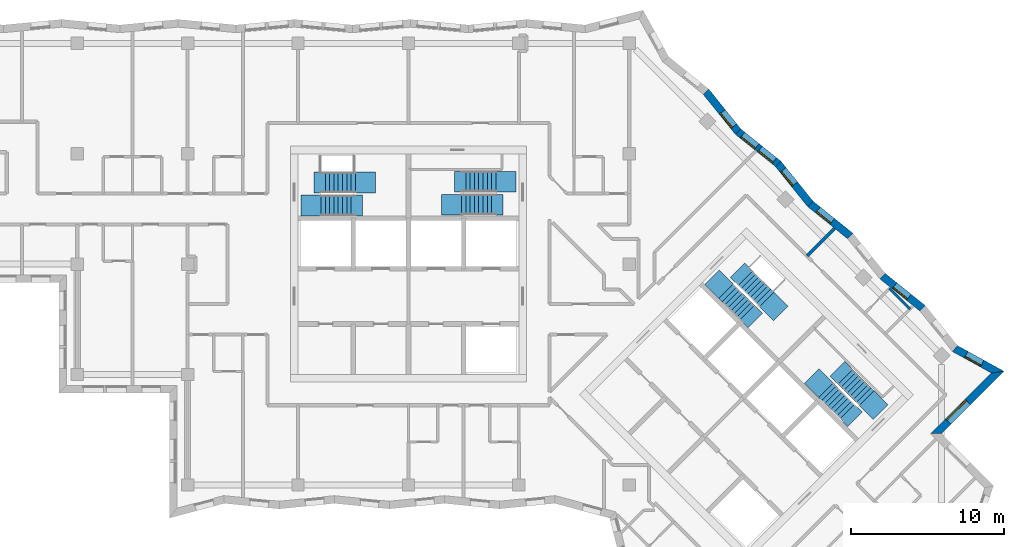
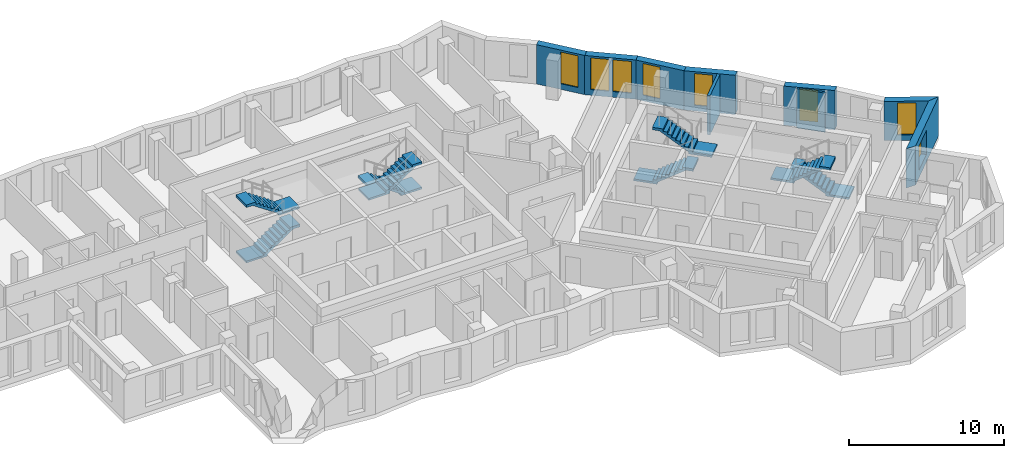
# One storey, part 9 of 11: 9 walls, 8 stair flights, 8 windows, 8 openings, 4 elements without a shape of their own.
"""IFC4 building model written with IfcOpenShell, lengths in metres."""

from ifc_helpers import new_model, si_unit, direction, frame, frame_2d, origin, place, context, subcontext, project, spatial, polyline, rectangle, outline, extrude, material, layer, layer_set, type_object, element, fill, aggregate, save


model = new_model("IFC4")

# Units and contexts
model_context = context("Model", 3, precision=1e-05, world=origin(), true_north=direction((0.0, 1.0)))
body_context = subcontext(model_context, "Body", "Model", "MODEL_VIEW")
ifc_project = project(units=[si_unit("LENGTHUNIT", "METRE"), si_unit("AREAUNIT", "SQUARE_METRE"), si_unit("VOLUMEUNIT", "CUBIC_METRE"), si_unit("PLANEANGLEUNIT", "RADIAN"), si_unit("MASSUNIT", "GRAM", prefix="KILO")], contexts=[model_context])

# Site, building, storey
site_placement = place(None, origin())
site = spatial("IfcSite", under=ifc_project, at=site_placement, CompositionType="ELEMENT")
building_placement = place(site_placement, origin())
building = spatial("IfcBuilding", under=site, at=building_placement, Name="Windrow Commons", CompositionType="ELEMENT")
storey_placement = place(building_placement, frame((0.0, 0.0, 196.4)))
storey = spatial("IfcBuildingStorey", under=building, at=storey_placement, Name="L53", CompositionType="ELEMENT", Elevation=196.4)

# Wall, opening, window
ifc_material_1 = material(Name="Brick masonry, red clay brick", Category="masonry")
ifc_layer_1 = layer(ifc_material_1, 0.5)
ifc_layer_set_1 = layer_set([ifc_layer_1], Name="Brick facade wall 500")
wall_type_1 = type_object("IfcWallType", Name="Brick facade wall 500", PredefinedType="SOLIDWALL", material=ifc_layer_set_1)
wall_1_placement = place(storey_placement, frame((99.2111, 46.5442, 0.0), z_axis=(0.0, 0.0, 1.0), x_axis=(0.7071067812, 0.7071067812, 0.0)))
wall_1 = element("IfcWall", 1, at=wall_1_placement, inside=storey, type_object=wall_type_1, Name="Brick facade wall L53 6", PredefinedType="SOLIDWALL", context=body_context, shape_type="SweptSolid", body=[
    extrude(outline(polyline([(0.25, -0.25), (6.011, -0.25), (5.3463, 0.25), (-0.25, 0.25), (0.25, -0.25)])), origin(), (0.0, 0.0, 1.0), 3.1),
])
opening_1_placement = place(wall_1_placement, frame((1.125, 0.0, 0.6)))
opening_1 = element("IfcOpeningElement", 2, at=opening_1_placement, cuts=wall_1, Name="Opening W1L", PredefinedType="OPENING", context=body_context, shape_type="SweptSolid", body=[
    extrude(rectangle(XDim=1.8, YDim=1.9, at=frame_2d((0.9, 0.95))), frame((0.0, 0.26, 0.0), z_axis=(0.0, -1.0, 0.0), x_axis=(1.0, 0.0, 0.0)), (0.0, 0.0, 1.0), 0.52),
])
ifc_material_2 = material(Name="Clear float glass in anodised aluminium frame", Category="aluminium")
window_type_1 = type_object("IfcWindowType", Name="Window W1L bedroom 1800x1900", PartitioningType="SINGLE_PANEL", PredefinedType="WINDOW", material=ifc_material_2)
window_1_placement = place(opening_1_placement, origin())
window_1 = element("IfcWindow", 3, at=window_1_placement, inside=storey, type_object=window_type_1, Name="Window L53 6.1", OverallHeight=1.9, OverallWidth=1.8, PartitioningType="SINGLE_PANEL", PredefinedType="WINDOW", context=body_context, shape_type="SweptSolid", body=[
    extrude(rectangle(XDim=1.8, YDim=1.9, at=frame_2d((0.9, 0.95))), frame((0.0, 0.18, 0.0), z_axis=(0.0, -1.0, 0.0), x_axis=(1.0, 0.0, 0.0)), (0.0, 0.0, 1.0), 0.06),
])
fill(opening_1, window_1)

wall_2_placement = place(storey_placement, frame((103.2265, 50.5596, 0.0), z_axis=(0.0, 0.0, 1.0), x_axis=(-0.8754584945, 0.483293311, 0.0)))
wall_2 = element("IfcWall", 4, at=wall_2_placement, inside=storey, type_object=wall_type_1, Name="Brick facade wall L53 7", PredefinedType="SOLIDWALL", context=body_context, shape_type="SweptSolid", body=[
    extrude(outline(polyline([(-0.3324, -0.25), (3.1331, -0.25), (3.2316, 0.25), (0.3324, 0.25), (-0.3324, -0.25)])), origin(), (0.0, 0.0, 1.0), 3.1),
])
opening_2_placement = place(wall_2_placement, frame((1.1573, 0.0, 0.45)))
opening_2 = element("IfcOpeningElement", 5, at=opening_2_placement, cuts=wall_2, Name="Opening W7E", PredefinedType="OPENING", context=body_context, shape_type="SweptSolid", body=[
    extrude(rectangle(XDim=1.2, YDim=2.5, at=frame_2d((0.6, 1.25))), frame((0.0, 0.26, 0.0), z_axis=(0.0, -1.0, 0.0), x_axis=(1.0, 0.0, 0.0)), (0.0, 0.0, 1.0), 0.52),
])
ifc_material_3 = material(Name="Clear float glass in anodised aluminium frame", Category="aluminium")
window_type_2 = type_object("IfcWindowType", Name="Window W7 notch 1200x2500", PartitioningType="SINGLE_PANEL", PredefinedType="WINDOW", material=ifc_material_3)
window_2_placement = place(opening_2_placement, origin())
window_2 = element("IfcWindow", 6, at=window_2_placement, inside=storey, type_object=window_type_2, Name="Window L53 7.1", OverallHeight=2.5, OverallWidth=1.2, PartitioningType="SINGLE_PANEL", PredefinedType="WINDOW", context=body_context, shape_type="SweptSolid", body=[
    extrude(rectangle(XDim=1.2, YDim=2.5, at=frame_2d((0.6, 1.25))), frame((0.0, 0.18, 0.0), z_axis=(0.0, -1.0, 0.0), x_axis=(1.0, 0.0, 0.0)), (0.0, 0.0, 1.0), 0.06),
])
fill(opening_2, window_2)

wall_3_placement = place(storey_placement, frame((98.3276, 54.7244, 0.0), z_axis=(0.0, 0.0, 1.0), x_axis=(-0.7792172545, 0.6267539152, 0.0)))
wall_3 = element("IfcWall", 7, at=wall_3_placement, inside=storey, type_object=wall_type_1, Name="Brick facade wall L53 9", PredefinedType="SOLIDWALL", context=body_context, shape_type="SweptSolid", body=[
    extrude(outline(polyline([(-0.0271, -0.25), (3.3219, -0.25), (3.3761, 0.25), (0.0271, 0.25), (-0.0271, -0.25)])), origin(), (0.0, 0.0, 1.0), 3.1),
])
opening_3_placement = place(wall_3_placement, frame((1.1466, 0.0, 0.45)))
opening_3 = element("IfcOpeningElement", 8, at=opening_3_placement, cuts=wall_3, Name="Opening W7E", PredefinedType="OPENING", context=body_context, shape_type="SweptSolid", body=[
    extrude(rectangle(XDim=1.2, YDim=2.5, at=frame_2d((0.6, 1.25))), frame((0.0, 0.26, 0.0), z_axis=(0.0, -1.0, 0.0), x_axis=(1.0, 0.0, 0.0)), (0.0, 0.0, 1.0), 0.52),
])
window_3_placement = place(opening_3_placement, origin())
window_3 = element("IfcWindow", 9, at=window_3_placement, inside=storey, type_object=window_type_2, Name="Window L53 9.1", OverallHeight=2.5, OverallWidth=1.2, PartitioningType="SINGLE_PANEL", PredefinedType="WINDOW", context=body_context, shape_type="SweptSolid", body=[
    extrude(rectangle(XDim=1.2, YDim=2.5, at=frame_2d((0.6, 1.25))), frame((0.0, 0.18, 0.0), z_axis=(0.0, -1.0, 0.0), x_axis=(1.0, 0.0, 0.0)), (0.0, 0.0, 1.0), 0.06),
])
fill(opening_3, window_3)

wall_4_placement = place(storey_placement, frame((93.619, 59.433, 0.0), z_axis=(0.0, 0.0, 1.0), x_axis=(-0.7792026718, 0.6267720449, 0.0)))
wall_4 = element("IfcWall", 10, at=wall_4_placement, inside=storey, type_object=wall_type_1, Name="Brick facade wall L53 11", PredefinedType="SOLIDWALL", context=body_context, shape_type="SweptSolid", body=[
    extrude(outline(polyline([(-0.0271, -0.25), (3.3219, -0.25), (3.3761, 0.25), (0.0271, 0.25), (-0.0271, -0.25)])), origin(), (0.0, 0.0, 1.0), 3.1),
])
opening_4_placement = place(wall_4_placement, frame((1.5187, 0.0, 0.45)))
opening_4 = element("IfcOpeningElement", 11, at=opening_4_placement, cuts=wall_4, Name="Opening W7E", PredefinedType="OPENING", context=body_context, shape_type="SweptSolid", body=[
    extrude(rectangle(XDim=1.2, YDim=2.5, at=frame_2d((0.6, 1.25))), frame((0.0, 0.26, 0.0), z_axis=(0.0, -1.0, 0.0), x_axis=(1.0, 0.0, 0.0)), (0.0, 0.0, 1.0), 0.52),
])
window_4_placement = place(opening_4_placement, origin())
window_4 = element("IfcWindow", 12, at=window_4_placement, inside=storey, type_object=window_type_2, Name="Window L53 11.1", OverallHeight=2.5, OverallWidth=1.2, PartitioningType="SINGLE_PANEL", PredefinedType="WINDOW", context=body_context, shape_type="SweptSolid", body=[
    extrude(rectangle(XDim=1.2, YDim=2.5, at=frame_2d((0.6, 1.25))), frame((0.0, 0.18, 0.0), z_axis=(0.0, -1.0, 0.0), x_axis=(1.0, 0.0, 0.0)), (0.0, 0.0, 1.0), 0.06),
])
fill(opening_4, window_4)

wall_5_placement = place(storey_placement, frame((91.0094, 61.5321, 0.0), z_axis=(0.0, 0.0, 1.0), x_axis=(-0.6267539152, 0.7792172545, 0.0)))
wall_5 = element("IfcWall", 13, at=wall_5_placement, inside=storey, type_object=wall_type_1, Name="Brick facade wall L53 12", PredefinedType="SOLIDWALL", context=body_context, shape_type="SweptSolid", body=[
    extrude(outline(polyline([(0.0271, -0.25), (3.3761, -0.25), (3.3219, 0.25), (-0.0271, 0.25), (0.0271, -0.25)])), origin(), (0.0, 0.0, 1.0), 3.1),
])
opening_5_placement = place(wall_5_placement, frame((1.6411, 0.0, 0.45)))
opening_5 = element("IfcOpeningElement", 14, at=opening_5_placement, cuts=wall_5, Name="Opening W7E", PredefinedType="OPENING", context=body_context, shape_type="SweptSolid", body=[
    extrude(rectangle(XDim=1.2, YDim=2.5, at=frame_2d((0.6, 1.25))), frame((0.0, 0.26, 0.0), z_axis=(0.0, -1.0, 0.0), x_axis=(1.0, 0.0, 0.0)), (0.0, 0.0, 1.0), 0.52),
])
window_5_placement = place(opening_5_placement, origin())
window_5 = element("IfcWindow", 15, at=window_5_placement, inside=storey, type_object=window_type_2, Name="Window L53 12.1", OverallHeight=2.5, OverallWidth=1.2, PartitioningType="SINGLE_PANEL", PredefinedType="WINDOW", context=body_context, shape_type="SweptSolid", body=[
    extrude(rectangle(XDim=1.2, YDim=2.5, at=frame_2d((0.6, 1.25))), frame((0.0, 0.18, 0.0), z_axis=(0.0, -1.0, 0.0), x_axis=(1.0, 0.0, 0.0)), (0.0, 0.0, 1.0), 0.06),
])
fill(opening_5, window_5)

# Wall, openings, windows
wall_6_placement = place(storey_placement, frame((88.9104, 64.1417, 0.0), z_axis=(0.0, 0.0, 1.0), x_axis=(-0.7792172545, 0.6267539152, 0.0)))
wall_6 = element("IfcWall", 16, at=wall_6_placement, inside=storey, type_object=wall_type_1, Name="Brick facade wall L53 13", PredefinedType="SOLIDWALL", context=body_context, shape_type="SweptSolid", body=[
    extrude(outline(polyline([(-0.0271, -0.25), (3.3219, -0.25), (3.3761, 0.25), (0.0271, 0.25), (-0.0271, -0.25)])), origin(), (0.0, 0.0, 1.0), 3.1),
])
opening_6_placement = place(wall_6_placement, frame((0.3298, 0.0, 0.45)))
opening_6 = element("IfcOpeningElement", 17, at=opening_6_placement, cuts=wall_6, Name="Opening W7E", PredefinedType="OPENING", context=body_context, shape_type="SweptSolid", body=[
    extrude(rectangle(XDim=1.2, YDim=2.5, at=frame_2d((0.6, 1.25))), frame((0.0, 0.26, 0.0), z_axis=(0.0, -1.0, 0.0), x_axis=(1.0, 0.0, 0.0)), (0.0, 0.0, 1.0), 0.52),
])
opening_7_placement = place(wall_6_placement, frame((1.7907, 0.0, 0.45)))
opening_7 = element("IfcOpeningElement", 18, at=opening_7_placement, cuts=wall_6, Name="Opening W7E", PredefinedType="OPENING", context=body_context, shape_type="SweptSolid", body=[
    extrude(rectangle(XDim=1.2, YDim=2.5, at=frame_2d((0.6, 1.25))), frame((0.0, 0.26, 0.0), z_axis=(0.0, -1.0, 0.0), x_axis=(1.0, 0.0, 0.0)), (0.0, 0.0, 1.0), 0.52),
])
window_6_placement = place(opening_6_placement, origin())
window_6 = element("IfcWindow", 19, at=window_6_placement, inside=storey, type_object=window_type_2, Name="Window L53 13.1", OverallHeight=2.5, OverallWidth=1.2, PartitioningType="SINGLE_PANEL", PredefinedType="WINDOW", context=body_context, shape_type="SweptSolid", body=[
    extrude(rectangle(XDim=1.2, YDim=2.5, at=frame_2d((0.6, 1.25))), frame((0.0, 0.18, 0.0), z_axis=(0.0, -1.0, 0.0), x_axis=(1.0, 0.0, 0.0)), (0.0, 0.0, 1.0), 0.06),
])
fill(opening_6, window_6)
window_7_placement = place(opening_7_placement, origin())
window_7 = element("IfcWindow", 20, at=window_7_placement, inside=storey, type_object=window_type_2, Name="Window L53 13.2", OverallHeight=2.5, OverallWidth=1.2, PartitioningType="SINGLE_PANEL", PredefinedType="WINDOW", context=body_context, shape_type="SweptSolid", body=[
    extrude(rectangle(XDim=1.2, YDim=2.5, at=frame_2d((0.6, 1.25))), frame((0.0, 0.18, 0.0), z_axis=(0.0, -1.0, 0.0), x_axis=(1.0, 0.0, 0.0)), (0.0, 0.0, 1.0), 0.06),
])
fill(opening_7, window_7)

# Wall, opening, window
wall_7_placement = place(storey_placement, frame((86.3008, 66.2407, 0.0), z_axis=(0.0, 0.0, 1.0), x_axis=(-0.6267720449, 0.7792026718, 0.0)))
wall_7 = element("IfcWall", 21, at=wall_7_placement, inside=storey, type_object=wall_type_1, Name="Brick facade wall L53 14", PredefinedType="SOLIDWALL", context=body_context, shape_type="SweptSolid", body=[
    extrude(outline(polyline([(0.0271, -0.25), (3.3761, -0.25), (3.3219, 0.25), (-0.0271, 0.25), (0.0271, -0.25)])), origin(), (0.0, 0.0, 1.0), 3.1),
])
opening_8_placement = place(wall_7_placement, frame((0.4523, 0.0, 0.45)))
opening_8 = element("IfcOpeningElement", 22, at=opening_8_placement, cuts=wall_7, Name="Opening W7E", PredefinedType="OPENING", context=body_context, shape_type="SweptSolid", body=[
    extrude(rectangle(XDim=1.2, YDim=2.5, at=frame_2d((0.6, 1.25))), frame((0.0, 0.26, 0.0), z_axis=(0.0, -1.0, 0.0), x_axis=(1.0, 0.0, 0.0)), (0.0, 0.0, 1.0), 0.52),
])
window_8_placement = place(opening_8_placement, origin())
window_8 = element("IfcWindow", 23, at=window_8_placement, inside=storey, type_object=window_type_2, Name="Window L53 14.1", OverallHeight=2.5, OverallWidth=1.2, PartitioningType="SINGLE_PANEL", PredefinedType="WINDOW", context=body_context, shape_type="SweptSolid", body=[
    extrude(rectangle(XDim=1.2, YDim=2.5, at=frame_2d((0.6, 1.25))), frame((0.0, 0.18, 0.0), z_axis=(0.0, -1.0, 0.0), x_axis=(1.0, 0.0, 0.0)), (0.0, 0.0, 1.0), 0.06),
])
fill(opening_8, window_8)

# Walls
ifc_material_4 = material(Name="Blockwork partition", Category="masonry")
ifc_layer_2 = layer(ifc_material_4, 0.15)
ifc_layer_set_2 = layer_set([ifc_layer_2], Name="IW-ENSUITE-150")
wall_type_2 = type_object("IfcWallType", Name="IW-ENSUITE-150", PredefinedType="PARTITIONING", material=ifc_layer_set_2)
wall_8_placement = place(storey_placement, frame((96.1668, 56.0168, 0.0), z_axis=(0.0, 0.0, 1.0), x_axis=(0.7071067812, -0.7071067812, 0.0)))
element("IfcWall", 24, at=wall_8_placement, inside=storey, type_object=wall_type_2, Name="W-L53-W102", PredefinedType="PARTITIONING", context=body_context, shape_type="SweptSolid", body=[
    extrude(rectangle(XDim=1.9007, YDim=0.15, at=frame_2d((0.9504, 0.0))), origin(), (0.0, 0.0, 1.0), 3.1),
])
ifc_material_5 = material(Name="Blockwork partition", Category="masonry")
ifc_layer_3 = layer(ifc_material_5, 0.2)
ifc_layer_set_3 = layer_set([ifc_layer_3], Name="IW-PARTY-200")
wall_type_3 = type_object("IfcWallType", Name="IW-PARTY-200", PredefinedType="PARTITIONING", material=ifc_layer_set_3)
wall_9_placement = place(storey_placement, frame((90.7972, 58.1388, 0.0), z_axis=(0.0, 0.0, 1.0), x_axis=(0.7066541826, 0.7075590903, 0.0)))
element("IfcWall", 25, at=wall_9_placement, inside=storey, type_object=wall_type_3, Name="W-L53-W060", PredefinedType="PARTITIONING", context=body_context, shape_type="SweptSolid", body=[
    extrude(rectangle(XDim=2.5417, YDim=0.2, at=frame_2d((1.2709, 0.0))), origin(), (0.0, 0.0, 1.0), 3.1),
])

# Stair, stair flights
ifc_material_6 = material(Name="Concrete C40/50", Category="concrete")
stair_type = type_object("IfcStairType", Name="Core stair", PredefinedType="HALF_TURN_STAIR", material=ifc_material_6)
placement = place(storey_placement, origin())
stair_1 = element("IfcStair", 26, at=placement, inside=storey, type_object=stair_type, Name="L53 Exit stair A1 core A", PredefinedType="HALF_TURN_STAIR")
ifc_material_7 = material(Name="Concrete C40/50", Category="concrete")
stair_flight_type = type_object("IfcStairFlightType", Name="Core stair flight", PredefinedType="STRAIGHT", material=ifc_material_7)
stair_flight_1_placement = place(storey_placement, frame((59.1, 61.425, 0.0), z_axis=(0.0, 0.0, 1.0), x_axis=(1.0, 0.0, 0.0)))
stair_flight_1 = element("IfcStairFlight", 27, at=stair_flight_1_placement, type_object=stair_flight_type, Name="ST-A1 flight 1", NumberOfRisers=9, NumberOfTreads=8, PredefinedType="STRAIGHT", RiserHeight=0.188888889, TreadLength=0.28, context=body_context, shape_type="SweptSolid", body=[
    extrude(outline(polyline([(-1.3, -0.15), (-1.3, 0.0), (0.0, 0.0), (0.0, 0.1889), (0.28, 0.1889), (0.28, 0.3778), (0.56, 0.3778), (0.56, 0.5667), (0.84, 0.5667), (0.84, 0.7556), (1.12, 0.7556), (1.12, 0.9444), (1.4, 0.9444), (1.4, 1.1333), (1.68, 1.1333), (1.68, 1.3222), (1.96, 1.3222), (1.96, 1.5111), (2.24, 1.5111), (2.69, 1.5111), (2.69, 1.3111), (2.24, 1.3111), (2.24, 1.3302), (0.2682, 0.0), (0.2682, -0.15), (-1.3, -0.15)])), frame((0.0, 0.675, 0.0), z_axis=(0.0, -1.0, 0.0), x_axis=(1.0, 0.0, 0.0)), (0.0, 0.0, 1.0), 1.35),
])
stair_flight_2_placement = place(storey_placement, frame((61.34, 62.925, 1.7), z_axis=(0.0, 0.0, 1.0), x_axis=(-1.0, 0.0, 0.0)))
stair_flight_2 = element("IfcStairFlight", 28, at=stair_flight_2_placement, type_object=stair_flight_type, Name="ST-A1 flight 2", NumberOfRisers=9, NumberOfTreads=8, PredefinedType="STRAIGHT", RiserHeight=0.188888889, TreadLength=0.28, context=body_context, shape_type="SweptSolid", body=[
    extrude(outline(polyline([(-1.3, -0.15), (-1.3, 0.0), (0.0, 0.0), (0.0, 0.1889), (0.28, 0.1889), (0.28, 0.3778), (0.56, 0.3778), (0.56, 0.5667), (0.84, 0.5667), (0.84, 0.7556), (1.12, 0.7556), (1.12, 0.9444), (1.4, 0.9444), (1.4, 1.1333), (1.68, 1.1333), (1.68, 1.3222), (1.96, 1.3222), (1.96, 1.5111), (2.24, 1.5111), (2.69, 1.5111), (2.69, 1.3111), (2.24, 1.3111), (2.24, 1.3302), (0.2682, 0.0), (0.2682, -0.15), (-1.3, -0.15)])), frame((0.0, 0.675, 0.0), z_axis=(0.0, -1.0, 0.0), x_axis=(1.0, 0.0, 0.0)), (0.0, 0.0, 1.0), 1.35),
])
aggregate(stair_1, [stair_flight_1, stair_flight_2])

stair_2 = element("IfcStair", 29, at=placement, inside=storey, type_object=stair_type, Name="L53 Exit stair A2 core A", PredefinedType="HALF_TURN_STAIR")
stair_flight_3_placement = place(storey_placement, frame((70.5, 62.98, 0.0), z_axis=(0.0, 0.0, 1.0), x_axis=(-1.0, 0.0, 0.0)))
stair_flight_3 = element("IfcStairFlight", 30, at=stair_flight_3_placement, type_object=stair_flight_type, Name="ST-A2 flight 1", NumberOfRisers=9, NumberOfTreads=8, PredefinedType="STRAIGHT", RiserHeight=0.188888889, TreadLength=0.28, context=body_context, shape_type="SweptSolid", body=[
    extrude(outline(polyline([(-1.3, -0.15), (-1.3, 0.0), (0.0, 0.0), (0.0, 0.1889), (0.28, 0.1889), (0.28, 0.3778), (0.56, 0.3778), (0.56, 0.5667), (0.84, 0.5667), (0.84, 0.7556), (1.12, 0.7556), (1.12, 0.9444), (1.4, 0.9444), (1.4, 1.1333), (1.68, 1.1333), (1.68, 1.3222), (1.96, 1.3222), (1.96, 1.5111), (2.24, 1.5111), (2.69, 1.5111), (2.69, 1.3111), (2.24, 1.3111), (2.24, 1.3302), (0.2682, 0.0), (0.2682, -0.15), (-1.3, -0.15)])), frame((0.0, 0.675, 0.0), z_axis=(0.0, -1.0, 0.0), x_axis=(1.0, 0.0, 0.0)), (0.0, 0.0, 1.0), 1.35),
])
stair_flight_4_placement = place(storey_placement, frame((68.26, 61.48, 1.7), z_axis=(0.0, 0.0, 1.0), x_axis=(1.0, 0.0, 0.0)))
stair_flight_4 = element("IfcStairFlight", 31, at=stair_flight_4_placement, type_object=stair_flight_type, Name="ST-A2 flight 2", NumberOfRisers=9, NumberOfTreads=8, PredefinedType="STRAIGHT", RiserHeight=0.188888889, TreadLength=0.28, context=body_context, shape_type="SweptSolid", body=[
    extrude(outline(polyline([(-1.3, -0.15), (-1.3, 0.0), (0.0, 0.0), (0.0, 0.1889), (0.28, 0.1889), (0.28, 0.3778), (0.56, 0.3778), (0.56, 0.5667), (0.84, 0.5667), (0.84, 0.7556), (1.12, 0.7556), (1.12, 0.9444), (1.4, 0.9444), (1.4, 1.1333), (1.68, 1.1333), (1.68, 1.3222), (1.96, 1.3222), (1.96, 1.5111), (2.24, 1.5111), (2.69, 1.5111), (2.69, 1.3111), (2.24, 1.3111), (2.24, 1.3302), (0.2682, 0.0), (0.2682, -0.15), (-1.3, -0.15)])), frame((0.0, 0.675, 0.0), z_axis=(0.0, -1.0, 0.0), x_axis=(1.0, 0.0, 0.0)), (0.0, 0.0, 1.0), 1.35),
])
aggregate(stair_2, [stair_flight_3, stair_flight_4])

stair_3 = element("IfcStair", 32, at=placement, inside=storey, type_object=stair_type, Name="L53 Exit stair B1 core B", PredefinedType="HALF_TURN_STAIR")
stair_flight_5_placement = place(storey_placement, frame((85.5109, 55.8249, 0.0), z_axis=(0.0, 0.0, 1.0), x_axis=(0.7071067812, -0.7071067812, 0.0)))
stair_flight_5 = element("IfcStairFlight", 33, at=stair_flight_5_placement, type_object=stair_flight_type, Name="ST-B1 flight 1", NumberOfRisers=9, NumberOfTreads=8, PredefinedType="STRAIGHT", RiserHeight=0.188888889, TreadLength=0.28, context=body_context, shape_type="SweptSolid", body=[
    extrude(outline(polyline([(-1.3, -0.15), (-1.3, 0.0), (0.0, 0.0), (0.0, 0.1889), (0.28, 0.1889), (0.28, 0.3778), (0.56, 0.3778), (0.56, 0.5667), (0.84, 0.5667), (0.84, 0.7556), (1.12, 0.7556), (1.12, 0.9444), (1.4, 0.9444), (1.4, 1.1333), (1.68, 1.1333), (1.68, 1.3222), (1.96, 1.3222), (1.96, 1.5111), (2.24, 1.5111), (2.69, 1.5111), (2.69, 1.3111), (2.24, 1.3111), (2.24, 1.3302), (0.2682, 0.0), (0.2682, -0.15), (-1.3, -0.15)])), frame((0.0, 0.675, 0.0), z_axis=(0.0, -1.0, 0.0), x_axis=(1.0, 0.0, 0.0)), (0.0, 0.0, 1.0), 1.35),
])
stair_flight_6_placement = place(storey_placement, frame((88.1555, 55.3017, 1.7), z_axis=(0.0, 0.0, 1.0), x_axis=(-0.7071067812, 0.7071067812, 0.0)))
stair_flight_6 = element("IfcStairFlight", 34, at=stair_flight_6_placement, type_object=stair_flight_type, Name="ST-B1 flight 2", NumberOfRisers=9, NumberOfTreads=8, PredefinedType="STRAIGHT", RiserHeight=0.188888889, TreadLength=0.28, context=body_context, shape_type="SweptSolid", body=[
    extrude(outline(polyline([(-1.3, -0.15), (-1.3, 0.0), (0.0, 0.0), (0.0, 0.1889), (0.28, 0.1889), (0.28, 0.3778), (0.56, 0.3778), (0.56, 0.5667), (0.84, 0.5667), (0.84, 0.7556), (1.12, 0.7556), (1.12, 0.9444), (1.4, 0.9444), (1.4, 1.1333), (1.68, 1.1333), (1.68, 1.3222), (1.96, 1.3222), (1.96, 1.5111), (2.24, 1.5111), (2.69, 1.5111), (2.69, 1.3111), (2.24, 1.3111), (2.24, 1.3302), (0.2682, 0.0), (0.2682, -0.15), (-1.3, -0.15)])), frame((0.0, 0.675, 0.0), z_axis=(0.0, -1.0, 0.0), x_axis=(1.0, 0.0, 0.0)), (0.0, 0.0, 1.0), 1.35),
])
aggregate(stair_3, [stair_flight_5, stair_flight_6])

stair_4 = element("IfcStair", 35, at=placement, inside=storey, type_object=stair_type, Name="L53 Exit stair B2 core B", PredefinedType="HALF_TURN_STAIR")
stair_flight_7_placement = place(storey_placement, frame((94.6715, 48.8635, 0.0), z_axis=(0.0, 0.0, 1.0), x_axis=(-0.7071067812, 0.7071067812, 0.0)))
stair_flight_7 = element("IfcStairFlight", 36, at=stair_flight_7_placement, type_object=stair_flight_type, Name="ST-B2 flight 1", NumberOfRisers=9, NumberOfTreads=8, PredefinedType="STRAIGHT", RiserHeight=0.188888889, TreadLength=0.28, context=body_context, shape_type="SweptSolid", body=[
    extrude(outline(polyline([(-1.3, -0.15), (-1.3, 0.0), (0.0, 0.0), (0.0, 0.1889), (0.28, 0.1889), (0.28, 0.3778), (0.56, 0.3778), (0.56, 0.5667), (0.84, 0.5667), (0.84, 0.7556), (1.12, 0.7556), (1.12, 0.9444), (1.4, 0.9444), (1.4, 1.1333), (1.68, 1.1333), (1.68, 1.3222), (1.96, 1.3222), (1.96, 1.5111), (2.24, 1.5111), (2.69, 1.5111), (2.69, 1.3111), (2.24, 1.3111), (2.24, 1.3302), (0.2682, 0.0), (0.2682, -0.15), (-1.3, -0.15)])), frame((0.0, 0.675, 0.0), z_axis=(0.0, -1.0, 0.0), x_axis=(1.0, 0.0, 0.0)), (0.0, 0.0, 1.0), 1.35),
])
stair_flight_8_placement = place(storey_placement, frame((92.0269, 49.3867, 1.7), z_axis=(0.0, 0.0, 1.0), x_axis=(0.7071067812, -0.7071067812, 0.0)))
stair_flight_8 = element("IfcStairFlight", 37, at=stair_flight_8_placement, type_object=stair_flight_type, Name="ST-B2 flight 2", NumberOfRisers=9, NumberOfTreads=8, PredefinedType="STRAIGHT", RiserHeight=0.188888889, TreadLength=0.28, context=body_context, shape_type="SweptSolid", body=[
    extrude(outline(polyline([(-1.3, -0.15), (-1.3, 0.0), (0.0, 0.0), (0.0, 0.1889), (0.28, 0.1889), (0.28, 0.3778), (0.56, 0.3778), (0.56, 0.5667), (0.84, 0.5667), (0.84, 0.7556), (1.12, 0.7556), (1.12, 0.9444), (1.4, 0.9444), (1.4, 1.1333), (1.68, 1.1333), (1.68, 1.3222), (1.96, 1.3222), (1.96, 1.5111), (2.24, 1.5111), (2.69, 1.5111), (2.69, 1.3111), (2.24, 1.3111), (2.24, 1.3302), (0.2682, 0.0), (0.2682, -0.15), (-1.3, -0.15)])), frame((0.0, 0.675, 0.0), z_axis=(0.0, -1.0, 0.0), x_axis=(1.0, 0.0, 0.0)), (0.0, 0.0, 1.0), 1.35),
])
aggregate(stair_4, [stair_flight_7, stair_flight_8])

save(model, "model.ifc")
